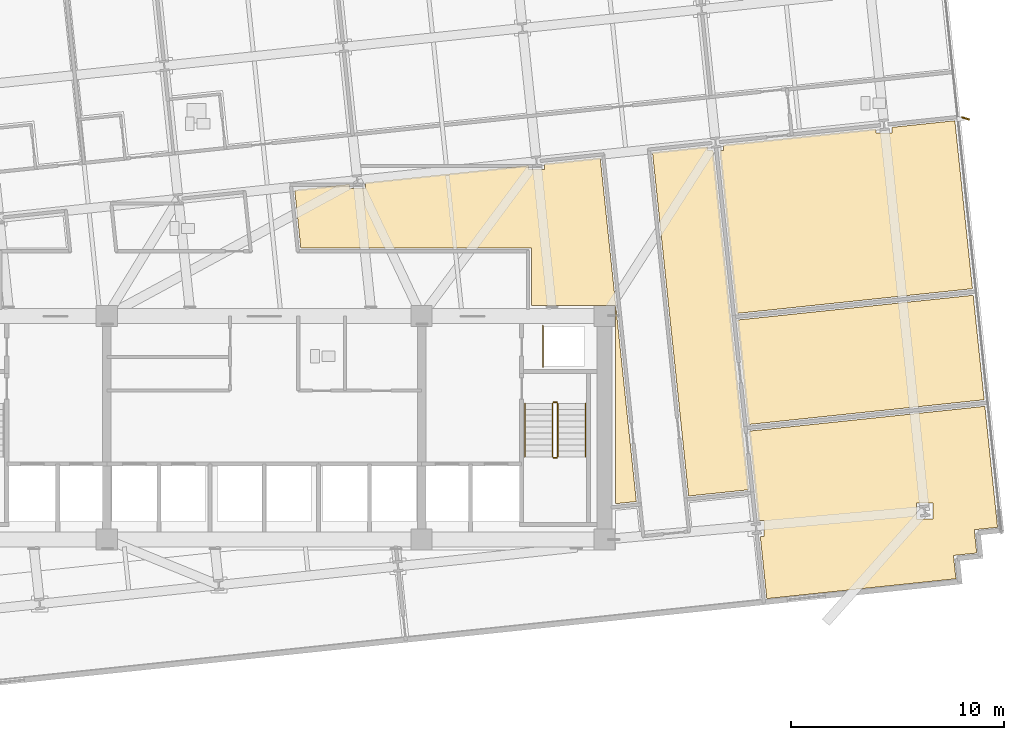
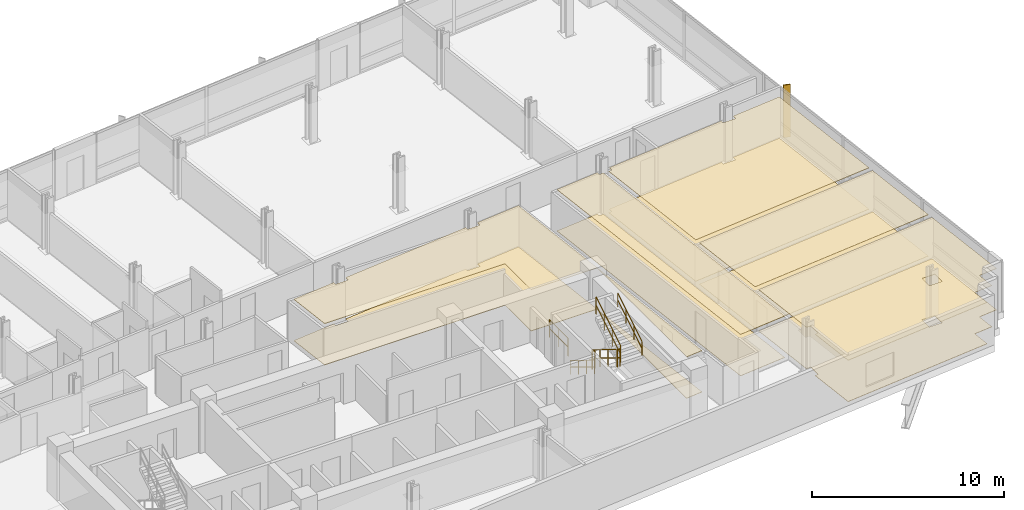
# One storey, part 16 of 18: 10 coverings, 7 railings, 1 shading device.
"""IFC4 building model written with IfcOpenShell, lengths in metres."""

from ifc_helpers import new_model, si_unit, direction, frame, origin, origin_2d, place, context, subcontext, project, spatial, polyline, rectangle, circle, outline, extrude, material, layer, layer_set, type_object, element, save


model = new_model("IFC4")

# Units and contexts
model_context = context("Model", 3, precision=1e-05, world=origin(), true_north=direction((0.0, 1.0)))
body_context = subcontext(model_context, "Body", "Model", "MODEL_VIEW")
ifc_project = project(units=[si_unit("LENGTHUNIT", "METRE"), si_unit("AREAUNIT", "SQUARE_METRE"), si_unit("VOLUMEUNIT", "CUBIC_METRE"), si_unit("PLANEANGLEUNIT", "RADIAN"), si_unit("MASSUNIT", "GRAM", prefix="KILO")], contexts=[model_context])

# Site, building, storey
site_placement = place(None, origin())
site = spatial("IfcSite", under=ifc_project, at=site_placement, CompositionType="ELEMENT")
building_placement = place(site_placement, origin())
building = spatial("IfcBuilding", under=site, at=building_placement, Name="Solmavex Isthmus Hotel", CompositionType="ELEMENT")
storey_placement = place(building_placement, frame((0.0, 0.0, 80.10009765625)))
storey = spatial("IfcBuildingStorey", under=building, at=storey_placement, Name="L21", CompositionType="ELEMENT", Elevation=80.10009765625)

# Coverings
ifc_material_1 = material(Name="Gypsum plasterboard lining", Category="gypsum")
ifc_layer_1 = layer(ifc_material_1, 0.030029296875)
ifc_layer_set_1 = layer_set([ifc_layer_1], Name="Gypsum plasterboard lining")
covering_type_1 = type_object("IfcCoveringType", Name="COV-CEIL-GYP", PredefinedType="CEILING", material=ifc_layer_set_1)
covering_1_placement = place(storey_placement, frame((0.0, 0.0, 2.619873046875)))
element("IfcCovering", 1, at=covering_1_placement, inside=storey, type_object=covering_type_1, Name="Suspended Acoustic Ceiling L21-FL10", PredefinedType="CEILING", context=body_context, shape_type="SweptSolid", body=[
    extrude(outline(polyline([(21.103759765625, 5.2783203125), (20.83984375, 5.2783203125), (20.83984375, 5.462646484375), (18.25439453125, 5.19091796875), (19.951904296875, -10.960205078125), (22.779296875, -10.6630859375), (21.103759765625, 5.2783203125)])), origin(), (0.0, 0.0, 1.0), 0.030029296875),
])
covering_2_placement = place(storey_placement, frame((0.0, 0.0, 2.619873046875)))
element("IfcCovering", 2, at=covering_2_placement, inside=storey, type_object=covering_type_1, Name="Suspended Acoustic Ceiling L21-FL11", PredefinedType="CEILING", context=body_context, shape_type="SweptSolid", body=[
    extrude(outline(polyline([(33.329345703125, -1.520263671875), (22.25244140625, -2.684326171875), (22.768798828125, -7.597412109375), (33.845703125, -6.43310546875), (33.329345703125, -1.520263671875)])), origin(), (0.0, 0.0, 1.0), 0.030029296875),
])
covering_3_placement = place(storey_placement, frame((0.0, 0.0, 2.619873046875)))
element("IfcCovering", 3, at=covering_3_placement, inside=storey, type_object=covering_type_1, Name="Suspended Acoustic Ceiling L21-FL13", PredefinedType="CEILING", context=body_context, shape_type="SweptSolid", body=[
    extrude(outline(polyline([(4.760498046875, 3.7724609375), (4.760498046875, 3.508544921875), (4.00048828125, 3.508544921875), (4.00048828125, 3.692626953125), (1.43505859375, 3.423095703125), (1.720703125, 0.705078125), (12.554931640625, 0.705078125), (12.554931640625, -1.9951171875), (16.5048828125, -1.9951171875), (16.5048828125, -11.322509765625), (17.495361328125, -11.21826171875), (15.7978515625, 4.9326171875), (13.18017578125, 4.657470703125), (13.18017578125, 4.393310546875), (12.420166015625, 4.393310546875), (12.420166015625, 4.57763671875), (4.760498046875, 3.7724609375)])), origin(), (0.0, 0.0, 1.0), 0.030029296875),
])
covering_4_placement = place(storey_placement, frame((0.0, 0.0, 2.619873046875)))
element("IfcCovering", 4, at=covering_4_placement, inside=storey, type_object=covering_type_1, Name="Suspended Acoustic Ceiling L21-FL15", PredefinedType="CEILING", context=body_context, shape_type="SweptSolid", body=[
    extrude(outline(polyline([(23.243408203125, -12.111572265625), (23.50732421875, -12.111572265625), (23.50732421875, -12.87158203125), (23.3232421875, -12.87158203125), (23.629150390625, -15.7822265625), (31.69775390625, -14.93408203125), (32.51806640625, -14.847900390625), (32.403076171875, -13.75390625), (33.4970703125, -13.638916015625), (33.382080078125, -12.544921875), (34.47607421875, -12.429931640625), (34.389892578125, -11.609619140625), (34.180908203125, -9.62060546875), (33.878173828125, -6.741455078125), (22.80126953125, -7.905517578125), (23.103759765625, -10.78466796875), (23.243408203125, -12.111572265625)]), holes=[polyline([(30.671630859375, -12.038818359375), (30.671630859375, -11.27880859375), (31.431640625, -11.27880859375), (31.431640625, -12.038818359375), (30.671630859375, -12.038818359375)])]), origin(), (0.0, 0.0, 1.0), 0.030029296875),
])
covering_5_placement = place(storey_placement, frame((0.0, 0.0, 2.619873046875)))
element("IfcCovering", 5, at=covering_5_placement, inside=storey, type_object=covering_type_1, Name="Suspended Acoustic Ceiling L21-FL16", PredefinedType="CEILING", context=body_context, shape_type="SweptSolid", body=[
    extrude(outline(polyline([(29.524169921875, 6.375244140625), (29.524169921875, 6.111328125), (28.76416015625, 6.111328125), (28.76416015625, 6.29541015625), (24.816162109375, 5.880615234375), (21.599609375, 5.54248046875), (21.599609375, 5.2783203125), (21.41552734375, 5.2783203125), (22.219970703125, -2.3759765625), (33.297119140625, -1.2119140625), (32.467041015625, 6.6845703125), (29.524169921875, 6.375244140625)])), origin(), (0.0, 0.0, 1.0), 0.030029296875),
])
ifc_material_2 = material(Name="Travertine natural stone", Category="masonry")
ifc_layer_2 = layer(ifc_material_2, 0.02490234375)
ifc_layer_set_2 = layer_set([ifc_layer_2], Name="Travertine natural stone")
covering_type_2 = type_object("IfcCoveringType", Name="COV-FLOR-STN", PredefinedType="FLOORING", material=ifc_layer_set_2)
covering_6_placement = place(storey_placement, origin())
element("IfcCovering", 6, at=covering_6_placement, inside=storey, type_object=covering_type_2, Name="Stone and Timber Floor Finish L21-FL10", PredefinedType="FLOORING", context=body_context, shape_type="SweptSolid", body=[
    extrude(outline(polyline([(21.103759765625, 5.2783203125), (20.83984375, 5.2783203125), (20.83984375, 5.462646484375), (18.25439453125, 5.19091796875), (19.951904296875, -10.960205078125), (22.779296875, -10.6630859375), (21.103759765625, 5.2783203125)])), origin(), (0.0, 0.0, 1.0), 0.02490234375),
])
covering_7_placement = place(storey_placement, origin())
element("IfcCovering", 7, at=covering_7_placement, inside=storey, type_object=covering_type_2, Name="Stone and Timber Floor Finish L21-FL11", PredefinedType="FLOORING", context=body_context, shape_type="SweptSolid", body=[
    extrude(outline(polyline([(33.329345703125, -1.520263671875), (22.25244140625, -2.684326171875), (22.768798828125, -7.597412109375), (33.845703125, -6.43310546875), (33.329345703125, -1.520263671875)])), origin(), (0.0, 0.0, 1.0), 0.02490234375),
])
covering_8_placement = place(storey_placement, origin())
element("IfcCovering", 8, at=covering_8_placement, inside=storey, type_object=covering_type_2, Name="Stone and Timber Floor Finish L21-FL13", PredefinedType="FLOORING", context=body_context, shape_type="SweptSolid", body=[
    extrude(outline(polyline([(4.760498046875, 3.7724609375), (4.760498046875, 3.508544921875), (4.00048828125, 3.508544921875), (4.00048828125, 3.692626953125), (1.43505859375, 3.423095703125), (1.720703125, 0.705078125), (12.554931640625, 0.705078125), (12.554931640625, -1.9951171875), (16.5048828125, -1.9951171875), (16.5048828125, -11.322509765625), (17.495361328125, -11.21826171875), (15.7978515625, 4.9326171875), (13.18017578125, 4.657470703125), (13.18017578125, 4.393310546875), (12.420166015625, 4.393310546875), (12.420166015625, 4.57763671875), (4.760498046875, 3.7724609375)])), origin(), (0.0, 0.0, 1.0), 0.02490234375),
])
covering_9_placement = place(storey_placement, origin())
element("IfcCovering", 9, at=covering_9_placement, inside=storey, type_object=covering_type_2, Name="Stone and Timber Floor Finish L21-FL15", PredefinedType="FLOORING", context=body_context, shape_type="SweptSolid", body=[
    extrude(outline(polyline([(23.243408203125, -12.111572265625), (23.50732421875, -12.111572265625), (23.50732421875, -12.87158203125), (23.3232421875, -12.87158203125), (23.629150390625, -15.7822265625), (31.69775390625, -14.93408203125), (32.51806640625, -14.847900390625), (32.403076171875, -13.75390625), (33.4970703125, -13.638916015625), (33.382080078125, -12.544921875), (34.47607421875, -12.429931640625), (34.389892578125, -11.609619140625), (34.180908203125, -9.62060546875), (33.878173828125, -6.741455078125), (22.80126953125, -7.905517578125), (23.103759765625, -10.78466796875), (23.243408203125, -12.111572265625)]), holes=[polyline([(30.671630859375, -12.038818359375), (30.671630859375, -11.27880859375), (31.431640625, -11.27880859375), (31.431640625, -12.038818359375), (30.671630859375, -12.038818359375)])]), origin(), (0.0, 0.0, 1.0), 0.02490234375),
])
covering_10_placement = place(storey_placement, origin())
element("IfcCovering", 10, at=covering_10_placement, inside=storey, type_object=covering_type_2, Name="Stone and Timber Floor Finish L21-FL16", PredefinedType="FLOORING", context=body_context, shape_type="SweptSolid", body=[
    extrude(outline(polyline([(29.524169921875, 6.375244140625), (29.524169921875, 6.111328125), (28.76416015625, 6.111328125), (28.76416015625, 6.29541015625), (24.816162109375, 5.880615234375), (21.599609375, 5.54248046875), (21.599609375, 5.2783203125), (21.41552734375, 5.2783203125), (22.219970703125, -2.3759765625), (33.297119140625, -1.2119140625), (32.467041015625, 6.6845703125), (29.524169921875, 6.375244140625)])), origin(), (0.0, 0.0, 1.0), 0.02490234375),
])

# Railings
ifc_material_3 = material(Name="Clear low-E laminated glass", Category="glass")
ifc_layer_3 = layer(ifc_material_3, 0.080078125)
ifc_layer_set_3 = layer_set([ifc_layer_3], Name="Clear low-E laminated glass")
railing_type_1 = type_object("IfcRailingType", Name="RAIL-ATRIUM-1120", PredefinedType="BALUSTRADE", material=ifc_layer_set_3)
railing_1_placement = place(storey_placement, frame((13.10009765625, -4.89990234375, 0.0)))
element("IfcRailing", 11, at=railing_1_placement, inside=storey, type_object=railing_type_1, Name="Guardrail Balustrade L21-RSE-01", PredefinedType="BALUSTRADE", context=body_context, shape_type="SweptSolid", body=[
    extrude(circle(Radius=0.02392578125, at=origin_2d()), frame((0.0, 0.0, 1.1259765625), z_axis=(0.0, 1.0, 0.0), x_axis=(-1.0, 0.0, 0.0)), (0.0, 0.0, 1.0), 1.949951171875),
    extrude(circle(Radius=0.02392578125, at=origin_2d()), frame((0.0, 0.0, 0.574951171875), z_axis=(0.0, 1.0, 0.0), x_axis=(-1.0, 0.0, 0.0)), (0.0, 0.0, 1.0), 1.949951171875),
    extrude(circle(Radius=0.02099609375, at=origin_2d()), origin(), (0.0, 0.0, 1.0), 1.101806640625),
    extrude(circle(Radius=0.02099609375, at=origin_2d()), frame((0.0, 0.97509765625, 0.0)), (0.0, 0.0, 1.0), 1.101806640625),
    extrude(circle(Radius=0.02099609375, at=origin_2d()), frame((0.0, 1.949951171875, 0.0)), (0.0, 0.0, 1.0), 1.101806640625),
])
ifc_material_4 = material(Name="Stainless steel 316", Category="steel")
ifc_layer_4 = layer(ifc_material_4, 0.06005859375)
ifc_layer_set_4 = layer_set([ifc_layer_4], Name="Stainless steel 316")
railing_type_2 = type_object("IfcRailingType", Name="RAIL-STAIR-GD", PredefinedType="GUARDRAIL", material=ifc_layer_set_4)
railing_2_placement = place(storey_placement, frame((13.550048828125, -6.60009765625, 0.17236328125)))
element("IfcRailing", 12, at=railing_2_placement, inside=storey, type_object=railing_type_2, Name="L21 ST-2 stair guard 1", PredefinedType="GUARDRAIL", context=body_context, shape_type="SweptSolid", body=[
    extrude(circle(Radius=0.02392578125, at=origin_2d()), frame((0.0, 0.0, 1.09619140625), z_axis=(0.0, -0.851400495292, 0.524516154772), x_axis=(1.0, 0.0, 0.0)), (0.0, 0.0, 1.0), 2.9599609375),
    extrude(circle(Radius=0.02392578125, at=origin_2d()), frame((0.0, 0.0, 0.56005859375), z_axis=(0.0, -0.851400495292, 0.524516154772), x_axis=(1.0, 0.0, 0.0)), (0.0, 0.0, 1.0), 2.9599609375),
    extrude(circle(Radius=0.02099609375, at=origin_2d()), origin(), (0.0, 0.0, 1.0), 1.072021484375),
    extrude(circle(Radius=0.02099609375, at=origin_2d()), frame((0.0, -0.840087890625, 0.517578125)), (0.0, 0.0, 1.0), 1.072021484375),
    extrude(circle(Radius=0.02099609375, at=origin_2d()), frame((0.0, -1.679931640625, 1.034912109375)), (0.0, 0.0, 1.0), 1.072021484375),
    extrude(circle(Radius=0.02099609375, at=origin_2d()), frame((0.0, -2.52001953125, 1.552490234375)), (0.0, 0.0, 1.0), 1.072021484375),
])
railing_3_placement = place(storey_placement, frame((13.60009765625, -9.169921875, 1.724853515625)))
element("IfcRailing", 13, at=railing_3_placement, inside=storey, type_object=railing_type_2, Name="L21 ST-2 stair guard 2", PredefinedType="GUARDRAIL", context=body_context, shape_type="SweptSolid", body=[
    extrude(circle(Radius=0.02392578125, at=origin_2d()), frame((0.0, 0.0, 1.09619140625), z_axis=(1.0, 0.0, 0.0), x_axis=(0.0, 1.0, 0.0)), (0.0, 0.0, 1.0), 0.14990234375),
    extrude(circle(Radius=0.02392578125, at=origin_2d()), frame((0.0, 0.0, 0.56005859375), z_axis=(1.0, 0.0, 0.0), x_axis=(0.0, 1.0, 0.0)), (0.0, 0.0, 1.0), 0.14990234375),
    extrude(circle(Radius=0.02099609375, at=origin_2d()), origin(), (0.0, 0.0, 1.0), 1.072021484375),
    extrude(circle(Radius=0.02099609375, at=origin_2d()), frame((0.14990234375, 0.0, 0.0)), (0.0, 0.0, 1.0), 1.072021484375),
])
railing_4_placement = place(storey_placement, frame((13.800048828125, -9.1201171875, 1.8974609375)))
element("IfcRailing", 14, at=railing_4_placement, inside=storey, type_object=railing_type_2, Name="L21 ST-2 stair guard 3", PredefinedType="GUARDRAIL", context=body_context, shape_type="SweptSolid", body=[
    extrude(circle(Radius=0.02392578125, at=origin_2d()), frame((0.0, 0.0, 1.09619140625), z_axis=(0.0, 0.851400495292, 0.524516154772), x_axis=(-1.0, 0.0, 0.0)), (0.0, 0.0, 1.0), 2.9599609375),
    extrude(circle(Radius=0.02392578125, at=origin_2d()), frame((0.0, 0.0, 0.56005859375), z_axis=(0.0, 0.851400495292, 0.524516154772), x_axis=(-1.0, 0.0, 0.0)), (0.0, 0.0, 1.0), 2.9599609375),
    extrude(circle(Radius=0.02099609375, at=origin_2d()), origin(), (0.0, 0.0, 1.0), 1.072021484375),
    extrude(circle(Radius=0.02099609375, at=origin_2d()), frame((0.0, 0.840087890625, 0.517578125)), (0.0, 0.0, 1.0), 1.072021484375),
    extrude(circle(Radius=0.02099609375, at=origin_2d()), frame((0.0, 1.679931640625, 1.034912109375)), (0.0, 0.0, 1.0), 1.072021484375),
    extrude(circle(Radius=0.02099609375, at=origin_2d()), frame((0.0, 2.52001953125, 1.552490234375)), (0.0, 0.0, 1.0), 1.072021484375),
])
railing_5_placement = place(storey_placement, frame((13.60009765625, -6.550048828125, 0.0)))
element("IfcRailing", 15, at=railing_5_placement, inside=storey, type_object=railing_type_2, Name="L21 ST-2 stair guard 4", PredefinedType="GUARDRAIL", context=body_context, shape_type="SweptSolid", body=[
    extrude(circle(Radius=0.02392578125, at=origin_2d()), frame((0.0, 0.0, 1.09619140625), z_axis=(1.0, 0.0, 0.0), x_axis=(0.0, 1.0, 0.0)), (0.0, 0.0, 1.0), 0.14990234375),
    extrude(circle(Radius=0.02392578125, at=origin_2d()), frame((0.0, 0.0, 0.56005859375), z_axis=(1.0, 0.0, 0.0), x_axis=(0.0, 1.0, 0.0)), (0.0, 0.0, 1.0), 0.14990234375),
    extrude(circle(Radius=0.02099609375, at=origin_2d()), origin(), (0.0, 0.0, 1.0), 1.072021484375),
    extrude(circle(Radius=0.02099609375, at=origin_2d()), frame((0.14990234375, 0.0, 0.0)), (0.0, 0.0, 1.0), 1.072021484375),
])
ifc_layer_5 = layer(ifc_material_4, 0.050048828125)
ifc_layer_set_5 = layer_set([ifc_layer_5], Name="Stainless steel 316")
railing_type_3 = type_object("IfcRailingType", Name="RAIL-STAIR-HR", PredefinedType="HANDRAIL", material=ifc_layer_set_5)
railing_6_placement = place(storey_placement, frame((12.25, -6.60009765625, 0.17236328125)))
element("IfcRailing", 16, at=railing_6_placement, inside=storey, type_object=railing_type_3, Name="L21 ST-2 stair handrail 1", PredefinedType="HANDRAIL", context=body_context, shape_type="SweptSolid", body=[
    extrude(circle(Radius=0.02392578125, at=origin_2d()), frame((0.0, 0.0, 0.8759765625), z_axis=(0.0, -0.851400495292, 0.524516154772), x_axis=(1.0, 0.0, 0.0)), (0.0, 0.0, 1.0), 2.9599609375),
    extrude(circle(Radius=0.02392578125, at=origin_2d()), frame((0.0, 0.0, 0.449951171875), z_axis=(0.0, -0.851400495292, 0.524516154772), x_axis=(1.0, 0.0, 0.0)), (0.0, 0.0, 1.0), 2.9599609375),
    extrude(circle(Radius=0.02099609375, at=origin_2d()), origin(), (0.0, 0.0, 1.0), 0.851806640625),
    extrude(circle(Radius=0.02099609375, at=origin_2d()), frame((0.0, -0.840087890625, 0.517578125)), (0.0, 0.0, 1.0), 0.851806640625),
    extrude(circle(Radius=0.02099609375, at=origin_2d()), frame((0.0, -1.679931640625, 1.034912109375)), (0.0, 0.0, 1.0), 0.851806640625),
    extrude(circle(Radius=0.02099609375, at=origin_2d()), frame((0.0, -2.52001953125, 1.552490234375)), (0.0, 0.0, 1.0), 0.851806640625),
])
railing_7_placement = place(storey_placement, frame((15.10009765625, -9.1201171875, 1.8974609375)))
element("IfcRailing", 17, at=railing_7_placement, inside=storey, type_object=railing_type_3, Name="L21 ST-2 stair handrail 2", PredefinedType="HANDRAIL", context=body_context, shape_type="SweptSolid", body=[
    extrude(circle(Radius=0.02392578125, at=origin_2d()), frame((0.0, 0.0, 0.8759765625), z_axis=(0.0, 0.851400495292, 0.524516154772), x_axis=(-1.0, 0.0, 0.0)), (0.0, 0.0, 1.0), 2.9599609375),
    extrude(circle(Radius=0.02392578125, at=origin_2d()), frame((0.0, 0.0, 0.449951171875), z_axis=(0.0, 0.851400495292, 0.524516154772), x_axis=(-1.0, 0.0, 0.0)), (0.0, 0.0, 1.0), 2.9599609375),
    extrude(circle(Radius=0.02099609375, at=origin_2d()), origin(), (0.0, 0.0, 1.0), 0.851806640625),
    extrude(circle(Radius=0.02099609375, at=origin_2d()), frame((0.0, 0.840087890625, 0.517578125)), (0.0, 0.0, 1.0), 0.851806640625),
    extrude(circle(Radius=0.02099609375, at=origin_2d()), frame((0.0, 1.679931640625, 1.034912109375)), (0.0, 0.0, 1.0), 0.851806640625),
    extrude(circle(Radius=0.02099609375, at=origin_2d()), frame((0.0, 2.52001953125, 1.552490234375)), (0.0, 0.0, 1.0), 0.851806640625),
])

# Shading device
ifc_material_5 = material(Name="Aluminium alloy 6063-T6", Category="aluminium")
shading_device_type = type_object("IfcShadingDeviceType", Name="SHD-FIN-CHAMP", PredefinedType="USERDEFINED", material=ifc_material_5)
shading_device_placement = place(storey_placement, frame((32.973388671875, 6.793212890625, -0.14013671875), z_axis=(0.0, 0.0, 1.0), x_axis=(0.951056516295, -0.309016994375, 0.0)))
element("IfcShadingDevice", 18, at=shading_device_placement, inside=storey, type_object=shading_device_type, Name="Anodised Aluminium Solar Fin L21-E1", ObjectType="SOLAR_FIN", PredefinedType="USERDEFINED", context=body_context, shape_type="SweptSolid", body=[
    extrude(rectangle(XDim=0.3798828125, YDim=0.070068359375, at=origin_2d()), origin(), (0.0, 0.0, 1.0), 3.330078125),
])

save(model, "model.ifc")
